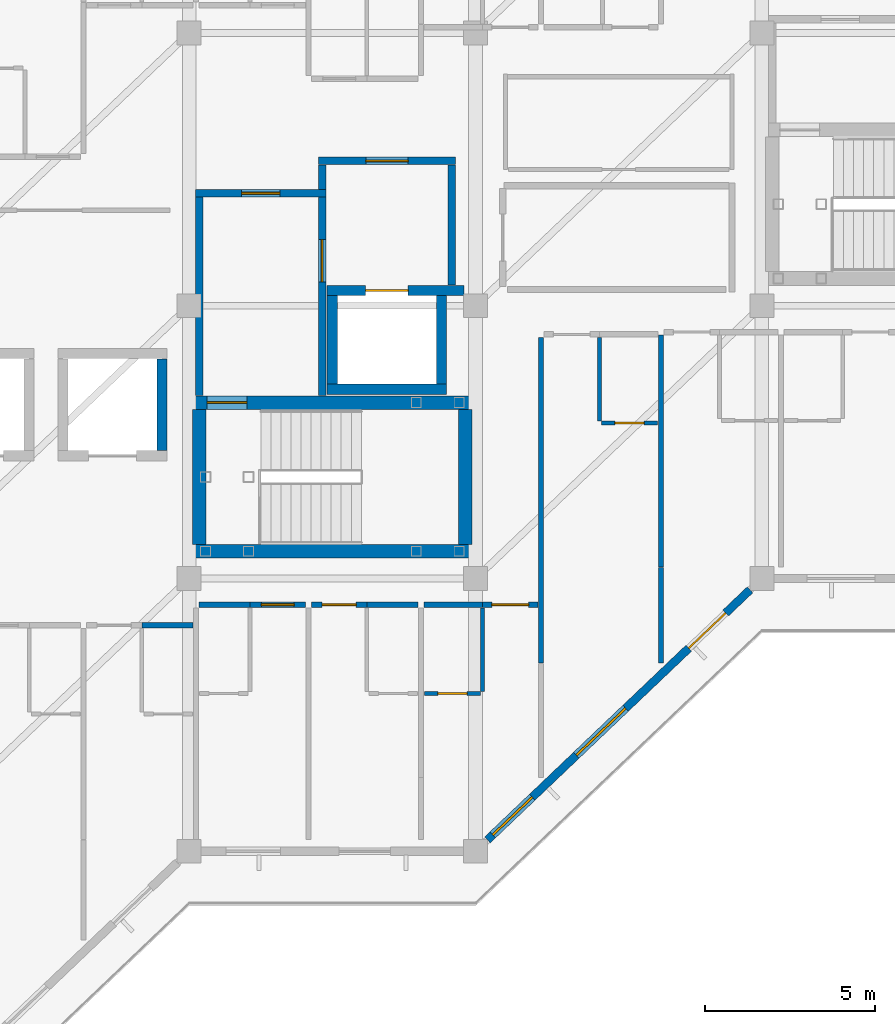
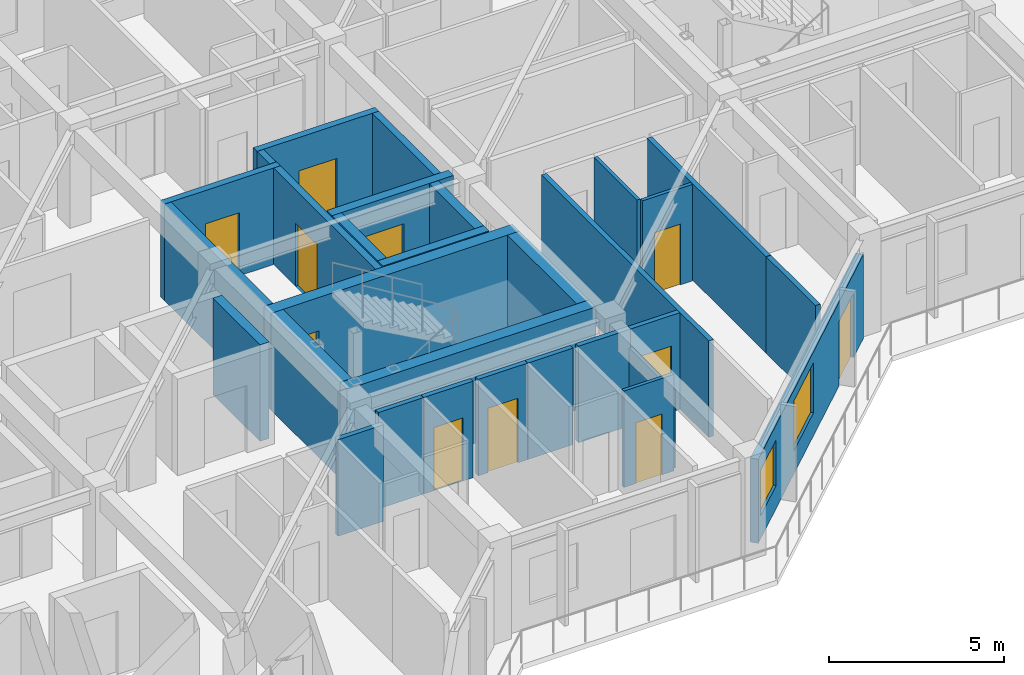
# One storey, part 9 of 16: 30 walls, 11 doors, 2 windows, 13 openings.
"""IFC4 building model written with IfcOpenShell, lengths in metres."""

from ifc_helpers import new_model, si_unit, direction, frame, frame_2d, origin, place, context, subcontext, project, spatial, rectangle, extrude, material, layer, layer_set, type_object, element, fill, save


model = new_model("IFC4")

# Units and contexts
model_context = context("Model", 3, precision=1e-05, world=origin(), true_north=direction((0.0, 1.0)))
body_context = subcontext(model_context, "Body", "Model", "MODEL_VIEW")
ifc_project = project(units=[si_unit("LENGTHUNIT", "METRE"), si_unit("AREAUNIT", "SQUARE_METRE"), si_unit("VOLUMEUNIT", "CUBIC_METRE"), si_unit("PLANEANGLEUNIT", "RADIAN"), si_unit("MASSUNIT", "GRAM", prefix="KILO")], contexts=[model_context])

# Site, building, storey
site_placement = place(None, origin())
site = spatial("IfcSite", under=ifc_project, at=site_placement, CompositionType="ELEMENT")
building_placement = place(site_placement, origin())
building = spatial("IfcBuilding", under=site, at=building_placement, Name="Naruveol Harbour Congress Hotel", CompositionType="ELEMENT")
storey_placement = place(building_placement, frame((0.0, 0.0, 28.800048828125)))
storey = spatial("IfcBuildingStorey", under=building, at=storey_placement, Name="L06", CompositionType="ELEMENT", Elevation=28.800048828125)

# Wall
ifc_material_1 = material(Name="Moisture-Resistant Gypsum Partition", Category="gypsum")
ifc_layer_1 = layer(ifc_material_1, 0.114990234375)
ifc_layer_set_1 = layer_set([ifc_layer_1], Name="Moisture-Resistant Gypsum Partition")
wall_type_1 = type_object("IfcWallType", Name="BATHROOM MOISTURE PARTITION WALL 115", PredefinedType="PARTITIONING", material=ifc_layer_set_1)
wall_1_placement = place(storey_placement, frame((159.81005859375, 12.68994140625, 0.0), z_axis=(0.0, 0.0, 1.0), x_axis=(0.0, 1.0, 0.0)))
element("IfcWall", 1, at=wall_1_placement, inside=storey, type_object=wall_type_1, Name="Bathroom east wall 0765 PW-115", PredefinedType="PARTITIONING", context=body_context, shape_type="SweptSolid", body=[
    extrude(rectangle(XDim=2.449951171875, YDim=0.114990234375, at=frame_2d((1.22509765625, 0.0))), origin(), (0.0, 0.0, 1.0), 2.72998046875),
])

# Wall, opening, door
wall_2_placement = place(storey_placement, frame((158.10009765625, 12.6298828125, 0.0), z_axis=(0.0, 0.0, 1.0), x_axis=(1.0, 0.0, 0.0)))
wall_2 = element("IfcWall", 2, at=wall_2_placement, inside=storey, type_object=wall_type_1, Name="Bathroom south wall 0765 PW-115", PredefinedType="PARTITIONING", context=body_context, shape_type="SweptSolid", body=[
    extrude(rectangle(XDim=1.64990234375, YDim=0.114990234375, at=frame_2d((0.824951171875, 0.0))), origin(), (0.0, 0.0, 1.0), 3.364990234375),
])
opening_1_placement = place(wall_2_placement, frame((0.39501953125, 0.0, 0.0)))
opening_1 = element("IfcOpeningElement", 3, at=opening_1_placement, cuts=wall_2, Name="Opening BD-RM0765", PredefinedType="OPENING", context=body_context, shape_type="SweptSolid", body=[
    extrude(rectangle(XDim=0.860107421875, YDim=2.1201171875, at=frame_2d((0.43017578125, 1.06005859375))), frame((0.0, 0.0673828125, 0.0), z_axis=(0.0, -1.0, 0.0), x_axis=(1.0, 0.0, 0.0)), (0.0, 0.0, 1.0), 0.135009765625),
])
ifc_material_2 = material(Name="Timber & Steel Acoustic Leaf", Category="steel")
door_type_1 = type_object("IfcDoorType", Name="GUEST BATHROOM DOOR 860X2120", OperationType="NOTDEFINED", PredefinedType="DOOR", material=ifc_material_2)
door_1_placement = place(opening_1_placement, origin())
door_1 = element("IfcDoor", 4, at=door_1_placement, inside=storey, type_object=door_type_1, Name="Bathroom Door 0765", OperationType="SINGLE_SWING_RIGHT", OverallHeight=2.1201171875, OverallWidth=0.860107421875, PredefinedType="DOOR", context=body_context, shape_type="SweptSolid", body=[
    extrude(rectangle(XDim=0.860107421875, YDim=2.1201171875, at=frame_2d((0.43017578125, 1.06005859375))), frame((0.0, 0.02490234375, 0.0), z_axis=(0.0, -1.0, 0.0), x_axis=(1.0, 0.0, 0.0)), (0.0, 0.0, 1.0), 0.050048828125),
])
fill(opening_1, door_1)

# Wall
wall_3_placement = place(storey_placement, frame((163.22998046875, 20.6201171875, 0.0), z_axis=(0.0, 0.0, 1.0), x_axis=(0.0, 1.0, 0.0)))
element("IfcWall", 5, at=wall_3_placement, inside=storey, type_object=wall_type_1, Name="Bathroom west wall 0766 PW-115", PredefinedType="PARTITIONING", context=body_context, shape_type="SweptSolid", body=[
    extrude(rectangle(XDim=2.449951171875, YDim=0.114990234375, at=frame_2d((1.22509765625, 0.0))), origin(), (0.0, 0.0, 1.0), 3.364990234375),
])

# Wall, opening, door
wall_4_placement = place(storey_placement, frame((163.2900390625, 20.56005859375, 0.0), z_axis=(0.0, 0.0, 1.0), x_axis=(1.0, 0.0, 0.0)))
wall_4 = element("IfcWall", 6, at=wall_4_placement, inside=storey, type_object=wall_type_1, Name="Bathroom south wall 0766 PW-115", PredefinedType="PARTITIONING", context=body_context, shape_type="SweptSolid", body=[
    extrude(rectangle(XDim=1.64990234375, YDim=0.114990234375, at=frame_2d((0.824951171875, 0.0))), origin(), (0.0, 0.0, 1.0), 3.364990234375),
])
opening_2_placement = place(wall_4_placement, frame((0.39501953125, 0.0, 0.0)))
opening_2 = element("IfcOpeningElement", 7, at=opening_2_placement, cuts=wall_4, Name="Opening BD-RM0766", PredefinedType="OPENING", context=body_context, shape_type="SweptSolid", body=[
    extrude(rectangle(XDim=0.860107421875, YDim=2.1201171875, at=frame_2d((0.43017578125, 1.06005859375))), frame((0.0, 0.0673828125, 0.0), z_axis=(0.0, -1.0, 0.0), x_axis=(1.0, 0.0, 0.0)), (0.0, 0.0, 1.0), 0.135009765625),
])
door_2_placement = place(opening_2_placement, origin())
door_2 = element("IfcDoor", 8, at=door_2_placement, inside=storey, type_object=door_type_1, Name="Bathroom Door 0766", OperationType="SINGLE_SWING_RIGHT", OverallHeight=2.1201171875, OverallWidth=0.860107421875, PredefinedType="DOOR", context=body_context, shape_type="SweptSolid", body=[
    extrude(rectangle(XDim=0.860107421875, YDim=2.1201171875, at=frame_2d((0.43017578125, 1.06005859375))), frame((0.0, 0.02490234375, 0.0), z_axis=(0.0, -1.0, 0.0), x_axis=(1.0, 0.0, 0.0)), (0.0, 0.0, 1.0), 0.050048828125),
])
fill(opening_2, door_2)

# Wall
ifc_material_3 = material(Name="Concrete C40/50", Category="concrete")
ifc_layer_2 = layer(ifc_material_3, 0.219970703125)
ifc_layer_set_2 = layer_set([ifc_layer_2], Name="Concrete C40/50")
wall_type_2 = type_object("IfcWallType", Name="FIRE COMPARTMENT AND LOBBY WALL 220 EI120", PredefinedType="PARTITIONING", material=ifc_layer_set_2)
wall_5_placement = place(storey_placement, frame((151.5, 21.364990234375, 0.0), z_axis=(0.0, 0.0, 1.0), x_axis=(0.0, 1.0, 0.0)))
element("IfcWall", 9, at=wall_5_placement, inside=storey, type_object=wall_type_2, Name="Smoke vestibule ST2 west wall FW-220", PredefinedType="PARTITIONING", context=body_context, shape_type="SweptSolid", body=[
    extrude(rectangle(XDim=5.820068359375, YDim=0.219970703125, at=frame_2d((2.91015625, 0.0))), origin(), (0.0, 0.0, 1.0), 3.364990234375),
])

# Wall, opening, door
wall_6_placement = place(storey_placement, frame((151.389892578125, 27.300048828125, 0.0), z_axis=(0.0, 0.0, 1.0), x_axis=(1.0, 0.0, 0.0)))
wall_6 = element("IfcWall", 10, at=wall_6_placement, inside=storey, type_object=wall_type_2, Name="Smoke vestibule ST2 north wall FW-220", PredefinedType="PARTITIONING", context=body_context, shape_type="SweptSolid", body=[
    extrude(rectangle(XDim=3.820068359375, YDim=0.219970703125, at=frame_2d((1.91015625, 0.0))), origin(), (0.0, 0.0, 1.0), 3.364990234375),
])
opening_3_placement = place(wall_6_placement, frame((1.35009765625, 0.0, 0.0)))
opening_3 = element("IfcOpeningElement", 11, at=opening_3_placement, cuts=wall_6, Name="Opening FD-ST2-V-L06", PredefinedType="OPENING", context=body_context, shape_type="SweptSolid", body=[
    extrude(rectangle(XDim=1.1201171875, YDim=2.199951171875, at=frame_2d((0.56005859375, 1.10009765625))), frame((0.0, 0.119873046875, 0.0), z_axis=(0.0, -1.0, 0.0), x_axis=(1.0, 0.0, 0.0)), (0.0, 0.0, 1.0), 0.239990234375),
])
ifc_material_4 = material(Name="Timber & Steel Acoustic Leaf", Category="steel")
door_type_2 = type_object("IfcDoorType", Name="VESTIBULE SMOKE CONTROL FIRE DOOR 1120X2200", OperationType="NOTDEFINED", PredefinedType="DOOR", material=ifc_material_4)
door_3_placement = place(opening_3_placement, origin())
door_3 = element("IfcDoor", 12, at=door_3_placement, inside=storey, type_object=door_type_2, Name="Smoke Vestibule Entry Door ST2 L06", OperationType="SINGLE_SWING_LEFT", OverallHeight=2.199951171875, OverallWidth=1.1201171875, PredefinedType="DOOR", context=body_context, shape_type="SweptSolid", body=[
    extrude(rectangle(XDim=1.1201171875, YDim=2.199951171875, at=frame_2d((0.56005859375, 1.10009765625))), frame((0.0, 0.02490234375, 0.0), z_axis=(0.0, -1.0, 0.0), x_axis=(1.0, 0.0, 0.0)), (0.0, 0.0, 1.0), 0.050048828125),
])
fill(opening_3, door_3)

wall_7_placement = place(storey_placement, frame((155.10009765625, 21.364990234375, 0.0), z_axis=(0.0, 0.0, 1.0), x_axis=(0.0, 1.0, 0.0)))
wall_7 = element("IfcWall", 13, at=wall_7_placement, inside=storey, type_object=wall_type_2, Name="Smoke vestibule ST2 east wall FW-220", PredefinedType="PARTITIONING", context=body_context, shape_type="SweptSolid", body=[
    extrude(rectangle(XDim=5.820068359375, YDim=0.219970703125, at=frame_2d((2.91015625, 0.0))), origin(), (0.0, 0.0, 1.0), 3.364990234375),
])
opening_4_placement = place(wall_7_placement, frame((3.3349609375, 0.0, 0.0)))
opening_4 = element("IfcOpeningElement", 14, at=opening_4_placement, cuts=wall_7, Name="Opening FD-FFL-ST2-L06", PredefinedType="OPENING", context=body_context, shape_type="SweptSolid", body=[
    extrude(rectangle(XDim=1.239990234375, YDim=2.199951171875, at=frame_2d((0.6201171875, 1.10009765625))), frame((0.0, 0.119873046875, 0.0), z_axis=(0.0, -1.0, 0.0), x_axis=(1.0, 0.0, 0.0)), (0.0, 0.0, 1.0), 0.239990234375),
])
ifc_material_5 = material(Name="Timber & Steel Acoustic Leaf", Category="steel")
door_type_3 = type_object("IfcDoorType", Name="FIREFIGHTING LOBBY FIRE DOOR 1240X2200", OperationType="NOTDEFINED", PredefinedType="DOOR", material=ifc_material_5)
door_4_placement = place(opening_4_placement, origin())
door_4 = element("IfcDoor", 15, at=door_4_placement, inside=storey, type_object=door_type_3, Name="Firefighting Lobby Vestibule Door ST2 L06", OperationType="SINGLE_SWING_RIGHT", OverallHeight=2.199951171875, OverallWidth=1.239990234375, PredefinedType="DOOR", context=body_context, shape_type="SweptSolid", body=[
    extrude(rectangle(XDim=1.239990234375, YDim=2.199951171875, at=frame_2d((0.6201171875, 1.10009765625))), frame((0.0, 0.02490234375, 0.0), z_axis=(0.0, -1.0, 0.0), x_axis=(1.0, 0.0, 0.0)), (0.0, 0.0, 1.0), 0.050048828125),
])
fill(opening_4, door_4)

# Walls
wall_8_placement = place(storey_placement, frame((155.10009765625, 27.4150390625, 0.0), z_axis=(0.0, 0.0, 1.0), x_axis=(0.0, 1.0, 0.0)))
element("IfcWall", 16, at=wall_8_placement, inside=storey, type_object=wall_type_2, Name="Firefighting lift lobby ST2 upper west wall FW-220", PredefinedType="PARTITIONING", context=body_context, shape_type="SweptSolid", body=[
    extrude(rectangle(XDim=0.719970703125, YDim=0.219970703125, at=frame_2d((0.35986328125, 0.0))), origin(), (0.0, 0.0, 1.0), 3.364990234375),
])
wall_9_placement = place(storey_placement, frame((158.89990234375, 24.60498046875, 0.0), z_axis=(0.0, 0.0, 1.0), x_axis=(0.0, 1.0, 0.0)))
element("IfcWall", 17, at=wall_9_placement, inside=storey, type_object=wall_type_2, Name="Firefighting lift lobby ST2 east wall FW-220", PredefinedType="PARTITIONING", context=body_context, shape_type="SweptSolid", body=[
    extrude(rectangle(XDim=3.530029296875, YDim=0.219970703125, at=frame_2d((1.76513671875, 0.0))), origin(), (0.0, 0.0, 1.0), 3.364990234375),
])

# Wall, opening, door
wall_10_placement = place(storey_placement, frame((154.989990234375, 28.25, 0.0), z_axis=(0.0, 0.0, 1.0), x_axis=(1.0, 0.0, 0.0)))
wall_10 = element("IfcWall", 18, at=wall_10_placement, inside=storey, type_object=wall_type_2, Name="Firefighting lift lobby ST2 north wall FW-220", PredefinedType="PARTITIONING", context=body_context, shape_type="SweptSolid", body=[
    extrude(rectangle(XDim=4.02001953125, YDim=0.219970703125, at=frame_2d((2.010009765625, 0.0))), origin(), (0.0, 0.0, 1.0), 3.364990234375),
])
opening_5_placement = place(wall_10_placement, frame((1.389892578125, 0.0, 0.0)))
opening_5 = element("IfcOpeningElement", 19, at=opening_5_placement, cuts=wall_10, Name="Opening FD-FFC-ST2-L06", PredefinedType="OPENING", context=body_context, shape_type="SweptSolid", body=[
    extrude(rectangle(XDim=1.239990234375, YDim=2.199951171875, at=frame_2d((0.6201171875, 1.10009765625))), frame((0.0, 0.119873046875, 0.0), z_axis=(0.0, -1.0, 0.0), x_axis=(1.0, 0.0, 0.0)), (0.0, 0.0, 1.0), 0.239990234375),
])
door_5_placement = place(opening_5_placement, origin())
door_5 = element("IfcDoor", 20, at=door_5_placement, inside=storey, type_object=door_type_3, Name="Firefighting Lobby Corridor Door ST2 L06", OperationType="SINGLE_SWING_LEFT", OverallHeight=2.199951171875, OverallWidth=1.239990234375, PredefinedType="DOOR", context=body_context, shape_type="SweptSolid", body=[
    extrude(rectangle(XDim=1.239990234375, YDim=2.199951171875, at=frame_2d((0.6201171875, 1.10009765625))), frame((0.0, 0.02490234375, 0.0), z_axis=(0.0, -1.0, 0.0), x_axis=(1.0, 0.0, 0.0)), (0.0, 0.0, 1.0), 0.050048828125),
])
fill(opening_5, door_5)

# Walls
ifc_material_6 = material(Name="Autoclaved Aerated Concrete Block", Category="concrete")
ifc_layer_3 = layer(ifc_material_6, 0.159912109375)
ifc_layer_set_3 = layer_set([ifc_layer_3], Name="Autoclaved Aerated Concrete Block")
wall_type_3 = type_object("IfcWallType", Name="HOTEL PARTY AND CORRIDOR WALL 160 EI60", PredefinedType="PARTITIONING", material=ifc_layer_set_3)
for number, where, z_axis, x_axis, name in (
    (21, (149.820068359375, 14.6298828125, 0.0), (0.0, 0.0, 1.0), (1.0, 0.0, 0.0), "Corridor wall 0762B PW-160"),
    (22, (151.489990234375, 15.22998046875, 0.0), (0.0, 0.0, 1.0), (1.0, 0.0, 0.0), "Corridor wall 0763B PW-160"),
):
    element("IfcWall", number, at=place(storey_placement, frame(where, z_axis=z_axis, x_axis=x_axis)), inside=storey, type_object=wall_type_3, Name=name, PredefinedType="PARTITIONING", context=body_context, shape_type="SweptSolid", body=[
        extrude(rectangle(XDim=1.489990234375, YDim=0.159912109375, at=frame_2d((0.7451171875, 0.0))), origin(), (0.0, 0.0, 1.0), 3.364990234375),
    ])

# Wall, opening, door
wall_11_placement = place(storey_placement, frame((152.989990234375, 15.22998046875, 0.0), z_axis=(0.0, 0.0, 1.0), x_axis=(1.0, 0.0, 0.0)))
wall_11 = element("IfcWall", 23, at=wall_11_placement, inside=storey, type_object=wall_type_3, Name="Corridor entry wall 0763 PW-160", PredefinedType="PARTITIONING", context=body_context, shape_type="SweptSolid", body=[
    extrude(rectangle(XDim=1.6201171875, YDim=0.159912109375, at=frame_2d((0.81005859375, 0.0))), origin(), (0.0, 0.0, 1.0), 3.364990234375),
])
opening_6_placement = place(wall_11_placement, frame((0.330078125, 0.0, 0.0)))
opening_6 = element("IfcOpeningElement", 24, at=opening_6_placement, cuts=wall_11, Name="Opening FD-RM0763", PredefinedType="OPENING", context=body_context, shape_type="SweptSolid", body=[
    extrude(rectangle(XDim=0.9599609375, YDim=2.199951171875, at=frame_2d((0.47998046875, 1.10009765625))), frame((0.0, 0.08984375, 0.0), z_axis=(0.0, -1.0, 0.0), x_axis=(1.0, 0.0, 0.0)), (0.0, 0.0, 1.0), 0.179931640625),
])
ifc_material_7 = material(Name="Timber & Steel Acoustic Leaf", Category="steel")
door_type_4 = type_object("IfcDoorType", Name="GUEST ROOM ENTRANCE FIRE DOOR 960X2200", OperationType="NOTDEFINED", PredefinedType="DOOR", material=ifc_material_7)
door_6_placement = place(opening_6_placement, origin())
door_6 = element("IfcDoor", 25, at=door_6_placement, inside=storey, type_object=door_type_4, Name="Hotel Room Door 0763", OperationType="SINGLE_SWING_LEFT", OverallHeight=2.199951171875, OverallWidth=0.9599609375, PredefinedType="DOOR", context=body_context, shape_type="SweptSolid", body=[
    extrude(rectangle(XDim=0.9599609375, YDim=2.199951171875, at=frame_2d((0.47998046875, 1.10009765625))), frame((0.0, 0.02490234375, 0.0), z_axis=(0.0, -1.0, 0.0), x_axis=(1.0, 0.0, 0.0)), (0.0, 0.0, 1.0), 0.050048828125),
])
fill(opening_6, door_6)

wall_12_placement = place(storey_placement, frame((154.7900390625, 15.22998046875, 0.0), z_axis=(0.0, 0.0, 1.0), x_axis=(1.0, 0.0, 0.0)))
wall_12 = element("IfcWall", 26, at=wall_12_placement, inside=storey, type_object=wall_type_3, Name="Corridor entry wall 0764 PW-160", PredefinedType="PARTITIONING", context=body_context, shape_type="SweptSolid", body=[
    extrude(rectangle(XDim=1.619873046875, YDim=0.159912109375, at=frame_2d((0.81005859375, 0.0))), origin(), (0.0, 0.0, 1.0), 3.364990234375),
])
opening_7_placement = place(wall_12_placement, frame((0.31005859375, 0.0, 0.0)))
opening_7 = element("IfcOpeningElement", 27, at=opening_7_placement, cuts=wall_12, Name="Opening FD-RM0764", PredefinedType="OPENING", context=body_context, shape_type="SweptSolid", body=[
    extrude(rectangle(XDim=1.0, YDim=2.25, at=frame_2d((0.5, 1.125))), frame((0.0, 0.08984375, 0.0), z_axis=(0.0, -1.0, 0.0), x_axis=(1.0, 0.0, 0.0)), (0.0, 0.0, 1.0), 0.179931640625),
])
ifc_material_8 = material(Name="Timber & Steel Acoustic Leaf", Category="steel")
door_type_5 = type_object("IfcDoorType", Name="DELUXE GUEST ENTRANCE FIRE DOOR 1000X2250", OperationType="NOTDEFINED", PredefinedType="DOOR", material=ifc_material_8)
door_7_placement = place(opening_7_placement, origin())
door_7 = element("IfcDoor", 28, at=door_7_placement, inside=storey, type_object=door_type_5, Name="Hotel Room Door 0764", OperationType="SINGLE_SWING_LEFT", OverallHeight=2.25, OverallWidth=1.0, PredefinedType="DOOR", context=body_context, shape_type="SweptSolid", body=[
    extrude(rectangle(XDim=1.0, YDim=2.25, at=frame_2d((0.5, 1.125))), frame((0.0, 0.02490234375, 0.0), z_axis=(0.0, -1.0, 0.0), x_axis=(1.0, 0.0, 0.0)), (0.0, 0.0, 1.0), 0.050048828125),
])
fill(opening_7, door_7)

# Walls
wall_13_placement = place(storey_placement, frame((156.419921875, 15.22998046875, 0.0), z_axis=(0.0, 0.0, 1.0), x_axis=(1.0, 0.0, 0.0)))
element("IfcWall", 29, at=wall_13_placement, inside=storey, type_object=wall_type_3, Name="Corridor wall 0764B PW-160", PredefinedType="PARTITIONING", context=body_context, shape_type="SweptSolid", body=[
    extrude(rectangle(XDim=1.489990234375, YDim=0.159912109375, at=frame_2d((0.7451171875, 0.0))), origin(), (0.0, 0.0, 1.0), 3.364990234375),
])
wall_14_placement = place(storey_placement, frame((158.090087890625, 15.22998046875, 0.0), z_axis=(0.0, 0.0, 1.0), x_axis=(1.0, 0.0, 0.0)))
element("IfcWall", 30, at=wall_14_placement, inside=storey, type_object=wall_type_3, Name="Corridor wall 0765B PW-160", PredefinedType="PARTITIONING", context=body_context, shape_type="SweptSolid", body=[
    extrude(rectangle(XDim=1.7099609375, YDim=0.159912109375, at=frame_2d((0.85498046875, 0.0))), origin(), (0.0, 0.0, 1.0), 3.364990234375),
])

# Wall, opening, door
wall_15_placement = place(storey_placement, frame((159.81005859375, 15.22998046875, 0.0), z_axis=(0.0, 0.0, 1.0), x_axis=(1.0, 0.0, 0.0)))
wall_15 = element("IfcWall", 31, at=wall_15_placement, inside=storey, type_object=wall_type_3, Name="Corridor entry wall 0765 PW-160", PredefinedType="PARTITIONING", context=body_context, shape_type="SweptSolid", body=[
    extrude(rectangle(XDim=1.619873046875, YDim=0.159912109375, at=frame_2d((0.81005859375, 0.0))), origin(), (0.0, 0.0, 1.0), 3.364990234375),
])
opening_8_placement = place(wall_15_placement, frame((0.27001953125, 0.0, 0.0)))
opening_8 = element("IfcOpeningElement", 32, at=opening_8_placement, cuts=wall_15, Name="Opening FD-RM0765", PredefinedType="OPENING", context=body_context, shape_type="SweptSolid", body=[
    extrude(rectangle(XDim=1.080078125, YDim=2.300048828125, at=frame_2d((0.5400390625, 1.14990234375))), frame((0.0, 0.08984375, 0.0), z_axis=(0.0, -1.0, 0.0), x_axis=(1.0, 0.0, 0.0)), (0.0, 0.0, 1.0), 0.179931640625),
])
ifc_material_9 = material(Name="Timber & Steel Acoustic Leaf", Category="steel")
door_type_6 = type_object("IfcDoorType", Name="SUITE ENTRANCE FIRE DOOR 1080X2300", OperationType="NOTDEFINED", PredefinedType="DOOR", material=ifc_material_9)
door_8_placement = place(opening_8_placement, origin())
door_8 = element("IfcDoor", 33, at=door_8_placement, inside=storey, type_object=door_type_6, Name="Hotel Room Door 0765", OperationType="SINGLE_SWING_LEFT", OverallHeight=2.300048828125, OverallWidth=1.080078125, PredefinedType="DOOR", context=body_context, shape_type="SweptSolid", body=[
    extrude(rectangle(XDim=1.080078125, YDim=2.300048828125, at=frame_2d((0.5400390625, 1.14990234375))), frame((0.0, 0.02490234375, 0.0), z_axis=(0.0, -1.0, 0.0), x_axis=(1.0, 0.0, 0.0)), (0.0, 0.0, 1.0), 0.050048828125),
])
fill(opening_8, door_8)

# Walls
wall_16_placement = place(storey_placement, frame((161.52001953125, 13.52001953125, 0.0), z_axis=(0.0, 0.0, 1.0), x_axis=(0.0, 1.0, 0.0)))
element("IfcWall", 34, at=wall_16_placement, inside=storey, type_object=wall_type_3, Name="Hotel party wall 0766 PW-160", PredefinedType="PARTITIONING", context=body_context, shape_type="SweptSolid", body=[
    extrude(rectangle(XDim=9.550048828125, YDim=0.159912109375, at=frame_2d((4.77490234375, 0.0))), origin(), (0.0, 0.0, 1.0), 3.364990234375),
])
wall_17_placement = place(storey_placement, frame((165.0400390625, 13.52001953125, 0.0), z_axis=(0.0, 0.0, 1.0), x_axis=(0.0, 1.0, 0.0)))
element("IfcWall", 35, at=wall_17_placement, inside=storey, type_object=wall_type_3, Name="Hotel end party wall 0766 PW-160", PredefinedType="PARTITIONING", context=body_context, shape_type="SweptSolid", body=[
    extrude(rectangle(XDim=2.81005859375, YDim=0.159912109375, at=frame_2d((1.405029296875, 0.0))), origin(), (0.0, 0.0, 1.0), 3.364990234375),
])
wall_18_placement = place(storey_placement, frame((165.0400390625, 16.340087890625, 0.0), z_axis=(0.0, 0.0, 1.0), x_axis=(0.0, 1.0, 0.0)))
element("IfcWall", 36, at=wall_18_placement, inside=storey, type_object=wall_type_3, Name="Hotel party wall 0767 PW-160", PredefinedType="PARTITIONING", context=body_context, shape_type="SweptSolid", body=[
    extrude(rectangle(XDim=6.7998046875, YDim=0.159912109375, at=frame_2d((3.39990234375, 0.0))), origin(), (0.0, 0.0, 1.0), 3.364990234375),
])

# Wall, openings, windows, door
ifc_material_10 = material(Name="Concrete C40/50", Category="concrete")
ifc_layer_4 = layer(ifc_material_10, 0.239990234375)
ifc_layer_set_4 = layer_set([ifc_layer_4], Name="Concrete C40/50")
wall_type_4 = type_object("IfcWallType", Name="INSULATED HOTEL SPANDREL WALL 240", PredefinedType="SOLIDWALL", material=ifc_layer_set_4)
wall_19_placement = place(storey_placement, frame((167.64990234375, 15.6669921875, 0.0), z_axis=(0.0, 0.0, 1.0), x_axis=(-0.724105170588, -0.689689569247, 0.0)))
wall_19 = element("IfcWall", 37, at=wall_19_placement, inside=storey, type_object=wall_type_4, Name="Hotel south waterfront wall L06 EW-240", PredefinedType="SOLIDWALL", context=body_context, shape_type="SweptSolid", body=[
    extrude(rectangle(XDim=10.6337890625, YDim=0.239990234375, at=frame_2d((5.31689453125, 0.0))), origin(), (0.0, 0.0, 1.0), 2.929931640625),
])
opening_9_placement = place(wall_19_placement, frame((0.98291015625, 0.0, 0.0)))
opening_9 = element("IfcOpeningElement", 38, at=opening_9_placement, cuts=wall_19, Name="Opening BD-150-051", PredefinedType="OPENING", context=body_context, shape_type="SweptSolid", body=[
    extrude(rectangle(XDim=1.5, YDim=2.25, at=frame_2d((0.75, 1.125))), frame((0.0, 0.1298828125, 0.0), z_axis=(0.0, -1.0, 0.0), x_axis=(1.0, 0.0, 0.0)), (0.0, 0.0, 1.0), 0.260009765625),
])
opening_10_placement = place(wall_19_placement, frame((5.034912109375, 0.0, 0.800048828125)))
opening_10 = element("IfcOpeningElement", 39, at=opening_10_placement, cuts=wall_19, Name="Opening W-05", PredefinedType="OPENING", context=body_context, shape_type="SweptSolid", body=[
    extrude(rectangle(XDim=2.0, YDim=1.75, at=frame_2d((1.0, 0.875))), frame((0.0, 0.1298828125, 0.0), z_axis=(0.0, -1.0, 0.0), x_axis=(1.0, 0.0, 0.0)), (0.0, 0.0, 1.0), 0.260009765625),
])
opening_11_placement = place(wall_19_placement, frame((8.819091796875, 0.0, 0.800048828125)))
opening_11 = element("IfcOpeningElement", 40, at=opening_11_placement, cuts=wall_19, Name="Opening W-03", PredefinedType="OPENING", context=body_context, shape_type="SweptSolid", body=[
    extrude(rectangle(XDim=1.60009765625, YDim=1.60009765625, at=frame_2d((0.800048828125, 0.800048828125))), frame((0.0, 0.1298828125, 0.0), z_axis=(0.0, -1.0, 0.0), x_axis=(1.0, 0.0, 0.0)), (0.0, 0.0, 1.0), 0.260009765625),
])
ifc_material_11 = material(Name="Low-E Triple Glazing in Thermal Aluminium", Category="aluminium")
window_type_1 = type_object("IfcWindowType", Name="DELUXE GUEST WINDOW 1600X1600", PartitioningType="SINGLE_PANEL", PredefinedType="WINDOW", material=ifc_material_11)
window_1_placement = place(opening_11_placement, origin())
window_1 = element("IfcWindow", 41, at=window_1_placement, inside=storey, type_object=window_type_1, Name="Window W-03 #366", OverallHeight=1.60009765625, OverallWidth=1.60009765625, PartitioningType="SINGLE_PANEL", PredefinedType="WINDOW", context=body_context, shape_type="SweptSolid", body=[
    extrude(rectangle(XDim=1.60009765625, YDim=1.60009765625, at=frame_2d((0.800048828125, 0.800048828125))), frame((0.0, 0.030029296875, 0.0), z_axis=(0.0, -1.0, 0.0), x_axis=(1.0, 0.0, 0.0)), (0.0, 0.0, 1.0), 0.06005859375),
])
fill(opening_11, window_1)
ifc_material_12 = material(Name="Low-E Triple Glazing in Thermal Aluminium", Category="aluminium")
window_type_2 = type_object("IfcWindowType", Name="GARDEN SUITE WINDOW 2000X1750", PartitioningType="DOUBLE_PANEL_VERTICAL", PredefinedType="WINDOW", material=ifc_material_12)
window_2_placement = place(opening_10_placement, origin())
window_2 = element("IfcWindow", 42, at=window_2_placement, inside=storey, type_object=window_type_2, Name="Window W-05 #365", OverallHeight=1.75, OverallWidth=2.0, PartitioningType="DOUBLE_PANEL_VERTICAL", PredefinedType="WINDOW", context=body_context, shape_type="SweptSolid", body=[
    extrude(rectangle(XDim=2.0, YDim=1.75, at=frame_2d((1.0, 0.875))), frame((0.0, 0.030029296875, 0.0), z_axis=(0.0, -1.0, 0.0), x_axis=(1.0, 0.0, 0.0)), (0.0, 0.0, 1.0), 0.06005859375),
])
fill(opening_10, window_2)
ifc_material_13 = material(Name="Powder-Coated Steel & Insulated Glazing", Category="steel")
door_type_7 = type_object("IfcDoorType", Name="SUITE BALCONY SLIDING DOOR 1500X2250", OperationType="SLIDING_TO_LEFT", PredefinedType="DOOR", material=ifc_material_13)
door_9_placement = place(opening_9_placement, origin())
door_9 = element("IfcDoor", 43, at=door_9_placement, inside=storey, type_object=door_type_7, Name="Exterior door BD-150-051", OperationType="SLIDING_TO_LEFT", OverallHeight=2.25, OverallWidth=1.5, PredefinedType="DOOR", context=body_context, shape_type="SweptSolid", body=[
    extrude(rectangle(XDim=1.5, YDim=2.25, at=frame_2d((0.75, 1.125))), frame((0.0, 0.02490234375, 0.0), z_axis=(0.0, -1.0, 0.0), x_axis=(1.0, 0.0, 0.0)), (0.0, 0.0, 1.0), 0.050048828125),
])
fill(opening_9, door_9)

# Walls
ifc_material_14 = material(Name="Concrete C50/60", Category="concrete")
ifc_layer_5 = layer(ifc_material_14, 0.39990234375)
ifc_layer_set_5 = layer_set([ifc_layer_5], Name="Concrete C50/60")
wall_type_5 = type_object("IfcWallType", Name="RC CORE SHEAR WALL 400 EI120", PredefinedType="SHEAR", material=ifc_layer_set_5)
wall_20_placement = place(storey_placement, frame((151.300048828125, 16.800048828125, 0.0), z_axis=(0.0, 0.0, 1.0), x_axis=(1.0, 0.0, 0.0)))
element("IfcWall", 44, at=wall_20_placement, inside=storey, type_object=wall_type_5, Name="Stair ST2 south core wall CW-400", PredefinedType="SHEAR", context=body_context, shape_type="SweptSolid", body=[
    extrude(rectangle(XDim=8.199951171875, YDim=0.39990234375, at=frame_2d((4.10009765625, 0.0))), origin(), (0.0, 0.0, 1.0), 3.364990234375),
])
wall_21_placement = place(storey_placement, frame((159.300048828125, 17.0048828125, 0.0), z_axis=(0.0, 0.0, 1.0), x_axis=(0.0, 1.0, 0.0)))
element("IfcWall", 45, at=wall_21_placement, inside=storey, type_object=wall_type_5, Name="Stair ST2 east core wall CW-400", PredefinedType="SHEAR", context=body_context, shape_type="SweptSolid", body=[
    extrude(rectangle(XDim=3.9501953125, YDim=0.39990234375, at=frame_2d((1.97509765625, 0.0))), origin(), (0.0, 0.0, 1.0), 3.364990234375),
])

# Wall, opening, door
wall_22_placement = place(storey_placement, frame((151.300048828125, 21.159912109375, 0.0), z_axis=(0.0, 0.0, 1.0), x_axis=(1.0, 0.0, 0.0)))
wall_22 = element("IfcWall", 46, at=wall_22_placement, inside=storey, type_object=wall_type_5, Name="Stair ST2 north core wall CW-400", PredefinedType="SHEAR", context=body_context, shape_type="SweptSolid", body=[
    extrude(rectangle(XDim=8.199951171875, YDim=0.39990234375, at=frame_2d((4.10009765625, 0.0))), origin(), (0.0, 0.0, 1.0), 3.364990234375),
])
opening_12_placement = place(wall_22_placement, frame((0.429931640625, 0.0, 0.0)))
opening_12 = element("IfcOpeningElement", 47, at=opening_12_placement, cuts=wall_22, Name="Opening FD-ST2-S-L06", PredefinedType="OPENING", context=body_context, shape_type="SweptSolid", body=[
    extrude(rectangle(XDim=1.159912109375, YDim=2.199951171875, at=frame_2d((0.580078125, 1.10009765625))), frame((0.0, 0.2099609375, 0.0), z_axis=(0.0, -1.0, 0.0), x_axis=(1.0, 0.0, 0.0)), (0.0, 0.0, 1.0), 0.419921875),
])
ifc_material_15 = material(Name="Timber & Steel Acoustic Leaf", Category="steel")
door_type_8 = type_object("IfcDoorType", Name="SPECIAL ESCAPE STAIR FIRE DOOR 1160X2200", OperationType="NOTDEFINED", PredefinedType="DOOR", material=ifc_material_15)
door_10_placement = place(opening_12_placement, origin())
door_10 = element("IfcDoor", 48, at=door_10_placement, inside=storey, type_object=door_type_8, Name="Special Escape Stair Door ST2 L06", OperationType="SINGLE_SWING_RIGHT", OverallHeight=2.199951171875, OverallWidth=1.159912109375, PredefinedType="DOOR", context=body_context, shape_type="SweptSolid", body=[
    extrude(rectangle(XDim=1.159912109375, YDim=2.199951171875, at=frame_2d((0.580078125, 1.10009765625))), frame((0.0, 0.02490234375, 0.0), z_axis=(0.0, -1.0, 0.0), x_axis=(1.0, 0.0, 0.0)), (0.0, 0.0, 1.0), 0.050048828125),
])
fill(opening_12, door_10)

# Walls
wall_23_placement = place(storey_placement, frame((151.5, 17.0048828125, 0.0), z_axis=(0.0, 0.0, 1.0), x_axis=(0.0, 1.0, 0.0)))
element("IfcWall", 49, at=wall_23_placement, inside=storey, type_object=wall_type_5, Name="Stair ST2 west core wall CW-400", PredefinedType="SHEAR", context=body_context, shape_type="SweptSolid", body=[
    extrude(rectangle(XDim=3.9501953125, YDim=0.39990234375, at=frame_2d((1.97509765625, 0.0))), origin(), (0.0, 0.0, 1.0), 3.364990234375),
])
ifc_material_16 = material(Name="Concrete C50/60", Category="concrete")
ifc_layer_6 = layer(ifc_material_16, 0.300048828125)
ifc_layer_set_6 = layer_set([ifc_layer_6], Name="Concrete C50/60")
wall_type_6 = type_object("IfcWallType", Name="RC STAIR AND HOISTWAY SHEAR WALL 300 EI120", PredefinedType="SHEAR", material=ifc_layer_set_6)
wall_24_placement = place(storey_placement, frame((155.25, 21.550048828125, 0.0), z_axis=(0.0, 0.0, 1.0), x_axis=(1.0, 0.0, 0.0)))
element("IfcWall", 50, at=wall_24_placement, inside=storey, type_object=wall_type_6, Name="Hoistway south shear wall FL2 SW-300", PredefinedType="SHEAR", context=body_context, shape_type="SweptSolid", body=[
    extrude(rectangle(XDim=3.5, YDim=0.300048828125, at=frame_2d((1.75, 0.0))), origin(), (0.0, 0.0, 1.0), 3.364990234375),
])
wall_25_placement = place(storey_placement, frame((158.60009765625, 21.705078125, 0.0), z_axis=(0.0, 0.0, 1.0), x_axis=(0.0, 1.0, 0.0)))
element("IfcWall", 51, at=wall_25_placement, inside=storey, type_object=wall_type_6, Name="Hoistway east shear wall FL2 SW-300", PredefinedType="SHEAR", context=body_context, shape_type="SweptSolid", body=[
    extrude(rectangle(XDim=2.58984375, YDim=0.300048828125, at=frame_2d((1.294921875, 0.0))), origin(), (0.0, 0.0, 1.0), 3.364990234375),
])

# Wall, opening, door
wall_26_placement = place(storey_placement, frame((159.260009765625, 24.449951171875, 0.0), z_axis=(0.0, 0.0, 1.0), x_axis=(-1.0, 0.0, 0.0)))
wall_26 = element("IfcWall", 52, at=wall_26_placement, inside=storey, type_object=wall_type_6, Name="Hoistway north shear wall FL2 SW-300", PredefinedType="SHEAR", context=body_context, shape_type="SweptSolid", body=[
    extrude(rectangle(XDim=4.010009765625, YDim=0.300048828125, at=frame_2d((2.0048828125, 0.0))), origin(), (0.0, 0.0, 1.0), 3.364990234375),
])
opening_13_placement = place(wall_26_placement, frame((1.635009765625, 0.0, 0.0)))
opening_13 = element("IfcOpeningElement", 53, at=opening_13_placement, cuts=wall_26, Name="Opening LD-FL2-L06", PredefinedType="OPENING", context=body_context, shape_type="SweptSolid", body=[
    extrude(rectangle(XDim=1.25, YDim=2.25, at=frame_2d((0.625, 1.125))), frame((0.0, 0.159912109375, 0.0), z_axis=(0.0, -1.0, 0.0), x_axis=(1.0, 0.0, 0.0)), (0.0, 0.0, 1.0), 0.320068359375),
])
ifc_material_17 = material(Name="Stainless Steel Lift Door", Category="steel")
door_type_9 = type_object("IfcDoorType", Name="FIREFIGHTING LIFT LANDING DOOR 1250X2250", OperationType="DOUBLE_DOOR_SLIDING", PredefinedType="DOOR", material=ifc_material_17)
door_11_placement = place(opening_13_placement, origin())
door_11 = element("IfcDoor", 54, at=door_11_placement, inside=storey, type_object=door_type_9, Name="Elevator Landing Door FL2 L06", OperationType="DOUBLE_DOOR_SLIDING", OverallHeight=2.25, OverallWidth=1.25, PredefinedType="DOOR", context=body_context, shape_type="SweptSolid", body=[
    extrude(rectangle(XDim=1.25, YDim=2.25, at=frame_2d((0.625, 1.125))), frame((0.0, 0.02490234375, 0.0), z_axis=(0.0, -1.0, 0.0), x_axis=(1.0, 0.0, 0.0)), (0.0, 0.0, 1.0), 0.050048828125),
])
fill(opening_13, door_11)

# Walls
wall_27_placement = place(storey_placement, frame((155.39990234375, 24.294921875, 0.0), z_axis=(0.0, 0.0, 1.0), x_axis=(0.0, -1.0, 0.0)))
element("IfcWall", 55, at=wall_27_placement, inside=storey, type_object=wall_type_6, Name="Hoistway west shear wall FL2 SW-300", PredefinedType="SHEAR", context=body_context, shape_type="SweptSolid", body=[
    extrude(rectangle(XDim=2.58984375, YDim=0.300048828125, at=frame_2d((1.294921875, 0.0))), origin(), (0.0, 0.0, 1.0), 3.364990234375),
])
wall_28_placement = place(storey_placement, frame((150.39990234375, 19.7548828125, 0.0), z_axis=(0.0, 0.0, 1.0), x_axis=(0.0, 1.0, 0.0)))
element("IfcWall", 56, at=wall_28_placement, inside=storey, type_object=wall_type_6, Name="Hoistway east shear wall GL2 SW-300", PredefinedType="SHEAR", context=body_context, shape_type="SweptSolid", body=[
    extrude(rectangle(XDim=2.690185546875, YDim=0.300048828125, at=frame_2d((1.34521484375, 0.0))), origin(), (0.0, 0.0, 1.0), 3.364990234375),
])

save(model, "model.ifc")
